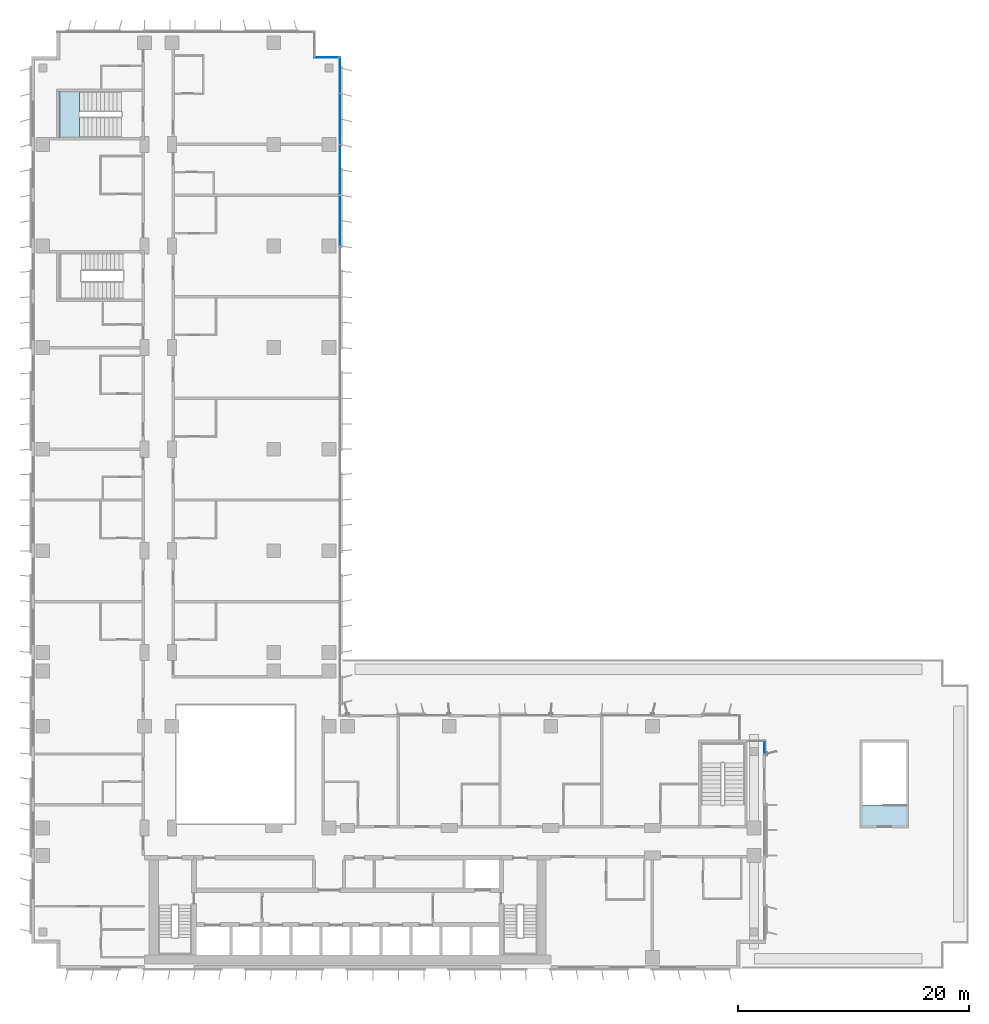
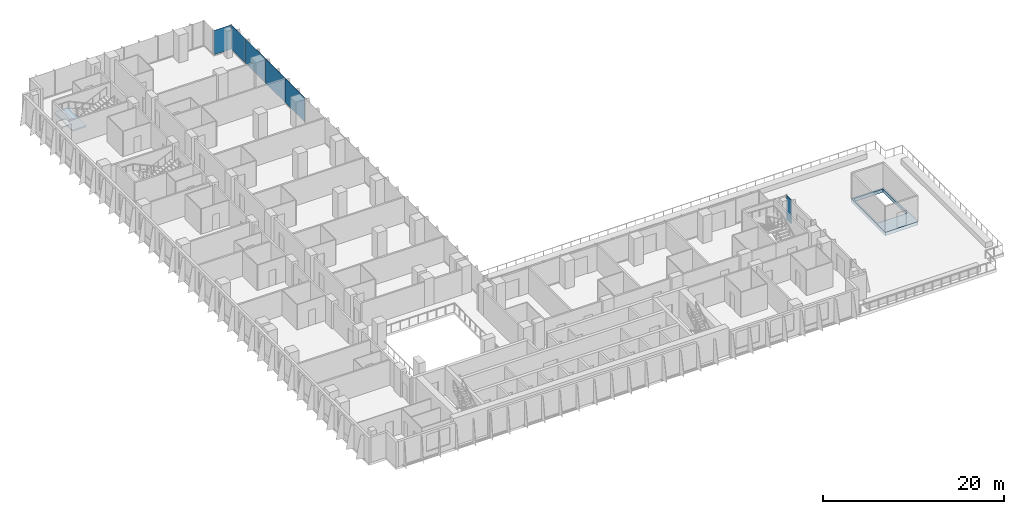
# One storey, part 12 of 27: 6 plates, 2 slabs, 4 elements without a shape of their own.
"""IFC4 building model written with IfcOpenShell, lengths in metres."""

from ifc_helpers import new_model, si_unit, direction, frame, origin, origin_2d, place, context, subcontext, project, spatial, polyline, rectangle, outline, extrude, source, transform, mapped, material, layer, layer_set, type_object, element, aggregate, save


model = new_model("IFC4")

# Units and contexts
model_context = context("Model", 3, precision=1e-05, world=origin(), true_north=direction((0.0, 1.0)))
body_context = subcontext(model_context, "Body", "Model", "MODEL_VIEW")
ifc_project = project(units=[si_unit("LENGTHUNIT", "METRE"), si_unit("AREAUNIT", "SQUARE_METRE"), si_unit("VOLUMEUNIT", "CUBIC_METRE"), si_unit("PLANEANGLEUNIT", "RADIAN"), si_unit("MASSUNIT", "GRAM", prefix="KILO")], contexts=[model_context])

# Site, building, storey
site_placement = place(None, origin())
site = spatial("IfcSite", under=ifc_project, at=site_placement, CompositionType="ELEMENT")
building_placement = place(site_placement, origin())
building = spatial("IfcBuilding", under=site, at=building_placement, Name="Kemantara Hotel Tower", CompositionType="ELEMENT")
storey_placement = place(building_placement, frame((0.0, 0.0, 83.39990234375)))
storey = spatial("IfcBuildingStorey", under=building, at=storey_placement, Name="L19", CompositionType="ELEMENT", Elevation=83.39990234375)

# Slab
ifc_material_1 = material(Name="Concrete fc 40 MPa", Category="concrete")
ifc_layer_1 = layer(ifc_material_1, 0.449951171875)
ifc_layer_set_1 = layer_set([ifc_layer_1], Name="Concrete fc 40 MPa")
slab_type_1 = type_object("IfcSlabType", Name="Head-house landing slab 450 mm", PredefinedType="LANDING", material=ifc_layer_set_1)
slab_1_placement = place(storey_placement, frame((0.0, 0.0, -0.449951171875)))
element("IfcSlab", 1, at=slab_1_placement, inside=storey, type_object=slab_type_1, Name="Stair ST5 head-house landing", PredefinedType="LANDING", context=body_context, shape_type="SweptSolid", body=[
    extrude(outline(polyline([(71.800048828125, 12.199951171875), (76.0, 12.199951171875), (76.0, 19.800048828125), (71.800048828125, 19.800048828125), (71.800048828125, 12.199951171875)]), holes=[polyline([(75.800048828125, 14.20068359375), (72.0, 14.20068359375), (72.0, 19.60009765625), (75.800048828125, 19.60009765625), (75.800048828125, 14.20068359375)])]), origin(), (0.0, 0.0, 1.0), 0.449951171875),
])

# Stair, slab
stair_type = type_object("IfcStairType", Name="Stair 1800 wide 22 risers of 168 x 360 mm", PredefinedType="HALF_TURN_STAIR", material=ifc_material_1)
stair_placement = place(storey_placement, origin())
stair = element("IfcStair", 2, at=stair_placement, inside=storey, type_object=stair_type, Name="L19 Exit stair ST6", PredefinedType="HALF_TURN_STAIR")
ifc_layer_2 = layer(ifc_material_1, 0.199951171875)
ifc_layer_set_2 = layer_set([ifc_layer_2], Name="Concrete fc 40 MPa")
slab_type_2 = type_object("IfcSlabType", Name="Stair landing 200 mm", PredefinedType="LANDING", material=ifc_layer_set_2)
slab_2_placement = place(storey_placement, frame((0.0, 0.0, 1.650146484375)))
slab_2 = element("IfcSlab", 3, at=slab_2_placement, type_object=slab_type_2, Name="ST6 landing 1", PredefinedType="LANDING", context=body_context, shape_type="SweptSolid", body=[
    extrude(outline(polyline([(4.199951171875, 76.0), (2.39990234375, 76.0), (2.39990234375, 72.0), (4.199951171875, 72.0), (4.199951171875, 76.0)])), origin(), (0.0, 0.0, 1.0), 0.199951171875),
])
aggregate(stair, [slab_2])

# Curtain wall, plates
ifc_material_2 = material(Name="Low-E tinted double insulated glass 36 mm", Category="glass")
curtain_wall_type_1 = type_object("IfcCurtainWallType", Name="TOWER CURTAIN WALL, FRONT FACES", PredefinedType="USERDEFINED", material=ifc_material_2)
curtain_wall_1_placement = place(storey_placement, origin())
curtain_wall_1 = element("IfcCurtainWall", 4, at=curtain_wall_1_placement, inside=storey, type_object=curtain_wall_type_1, Name="CW4 L19 T2-R14-1", ObjectType="TOWER CURTAIN WALL, FRONT FACES", PredefinedType="USERDEFINED")
ifc_layer_3 = layer(ifc_material_2, 0.035888671875)
ifc_layer_set_3 = layer_set([ifc_layer_3], Name="Low-E tinted double insulated glass 36 mm")
plate_type_1 = type_object("IfcPlateType", Name="TOWER CURTAIN WALL, FRONT FACES PANEL", PredefinedType="CURTAIN_PANEL", material=ifc_layer_set_3)
shared_shape_1 = source(origin(), body_context, "Body", "SweptSolid", [
    extrude(rectangle(XDim=4.340087890625, YDim=0.035888671875, at=origin_2d()), origin(), (0.0, 0.0, 1.0), 3.280029296875),
])
plate_1_placement = place(storey_placement, frame((26.72509765625, 64.800048828125, 0.1201171875), z_axis=(0.0, 0.0, 1.0), x_axis=(0.0, 1.0, 0.0)))
plate_1 = element("IfcPlate", 5, at=plate_1_placement, type_object=plate_type_1, Name="CW4 glass panel T2-R14-1.11", PredefinedType="CURTAIN_PANEL", context=body_context, shape_type="MappedRepresentation", body=[
    mapped(shared_shape_1, transform((0.0, 0.0, 0.0))),
])
plate_2_placement = place(storey_placement, frame((26.72509765625, 69.199951171875, 0.1201171875), z_axis=(0.0, 0.0, 1.0), x_axis=(0.0, 1.0, 0.0)))
plate_2 = element("IfcPlate", 6, at=plate_2_placement, type_object=plate_type_1, Name="CW4 glass panel T2-R14-1.12", PredefinedType="CURTAIN_PANEL", context=body_context, shape_type="MappedRepresentation", body=[
    mapped(shared_shape_1, transform((0.0, 0.0, 0.0))),
])
plate_3_placement = place(storey_placement, frame((26.72509765625, 73.60009765625, 0.1201171875), z_axis=(0.0, 0.0, 1.0), x_axis=(0.0, 1.0, 0.0)))
plate_3 = element("IfcPlate", 7, at=plate_3_placement, type_object=plate_type_1, Name="CW4 glass panel T2-R14-1.13", PredefinedType="CURTAIN_PANEL", context=body_context, shape_type="MappedRepresentation", body=[
    mapped(shared_shape_1, transform((0.0, 0.0, 0.0))),
])
shared_shape_2 = source(origin(), body_context, "Body", "SweptSolid", [
    extrude(rectangle(XDim=3.110107421875, YDim=0.035888671875, at=origin_2d()), origin(), (0.0, 0.0, 1.0), 3.280029296875),
])
plate_4_placement = place(storey_placement, frame((26.72509765625, 77.385009765625, 0.1201171875), z_axis=(0.0, 0.0, 1.0), x_axis=(0.0, 1.0, 0.0)))
plate_4 = element("IfcPlate", 8, at=plate_4_placement, type_object=plate_type_1, Name="CW4 glass panel T2-R14-1.14", PredefinedType="CURTAIN_PANEL", context=body_context, shape_type="MappedRepresentation", body=[
    mapped(shared_shape_2, transform((0.0, 0.0, 0.0))),
])
aggregate(curtain_wall_1, [plate_1, plate_2, plate_3, plate_4])

# Curtain wall, plate
curtain_wall_2_placement = place(storey_placement, origin())
curtain_wall_2 = element("IfcCurtainWall", 9, at=curtain_wall_2_placement, inside=storey, type_object=curtain_wall_type_1, Name="CW4 L19 T2-R15-1", ObjectType="TOWER CURTAIN WALL, FRONT FACES", PredefinedType="USERDEFINED")
shared_shape_3 = source(origin(), body_context, "Body", "SweptSolid", [
    extrude(rectangle(XDim=2.080078125, YDim=0.035888671875, at=origin_2d()), origin(), (0.0, 0.0, 1.0), 3.280029296875),
])
plate_5_placement = place(storey_placement, frame((25.550048828125, 78.925048828125, 0.1201171875), z_axis=(0.0, 0.0, 1.0), x_axis=(-1.0, 0.0, 0.0)))
plate_5 = element("IfcPlate", 10, at=plate_5_placement, type_object=plate_type_1, Name="CW4 glass panel T2-R15-1.1", PredefinedType="CURTAIN_PANEL", context=body_context, shape_type="MappedRepresentation", body=[
    mapped(shared_shape_3, transform((0.0, 0.0, 0.0))),
])
aggregate(curtain_wall_2, [plate_5])

ifc_material_3 = material(Name="Toughened tinted glass 32 mm", Category="glass")
curtain_wall_type_2 = type_object("IfcCurtainWallType", Name="TERRACE GLAZING WALL", PredefinedType="USERDEFINED", material=ifc_material_3)
curtain_wall_3_placement = place(storey_placement, origin())
curtain_wall_3 = element("IfcCurtainWall", 11, at=curtain_wall_3_placement, inside=storey, type_object=curtain_wall_type_2, Name="CW6 L19 T2-R10-3", ObjectType="TERRACE GLAZING WALL", PredefinedType="USERDEFINED")
ifc_layer_4 = layer(ifc_material_3, 0.031982421875)
ifc_layer_set_4 = layer_set([ifc_layer_4], Name="Toughened tinted glass 32 mm")
plate_type_2 = type_object("IfcPlateType", Name="TERRACE GLAZING WALL PANEL", PredefinedType="CURTAIN_PANEL", material=ifc_layer_set_4)
shared_shape_4 = source(origin(), body_context, "Body", "SweptSolid", [
    extrude(rectangle(XDim=1.110107421875, YDim=0.031982421875, at=origin_2d()), origin(), (0.0, 0.0, 1.0), 3.280029296875),
])
plate_6_placement = place(storey_placement, frame((63.52490234375, 19.18505859375, 0.1201171875), z_axis=(0.0, 0.0, 1.0), x_axis=(0.0, 1.0, 0.0)))
plate_6 = element("IfcPlate", 12, at=plate_6_placement, type_object=plate_type_2, Name="CW6 glass panel T2-R10-3.1", PredefinedType="CURTAIN_PANEL", context=body_context, shape_type="MappedRepresentation", body=[
    mapped(shared_shape_4, transform((0.0, 0.0, 0.0))),
])
aggregate(curtain_wall_3, [plate_6])

save(model, "model.ifc")
